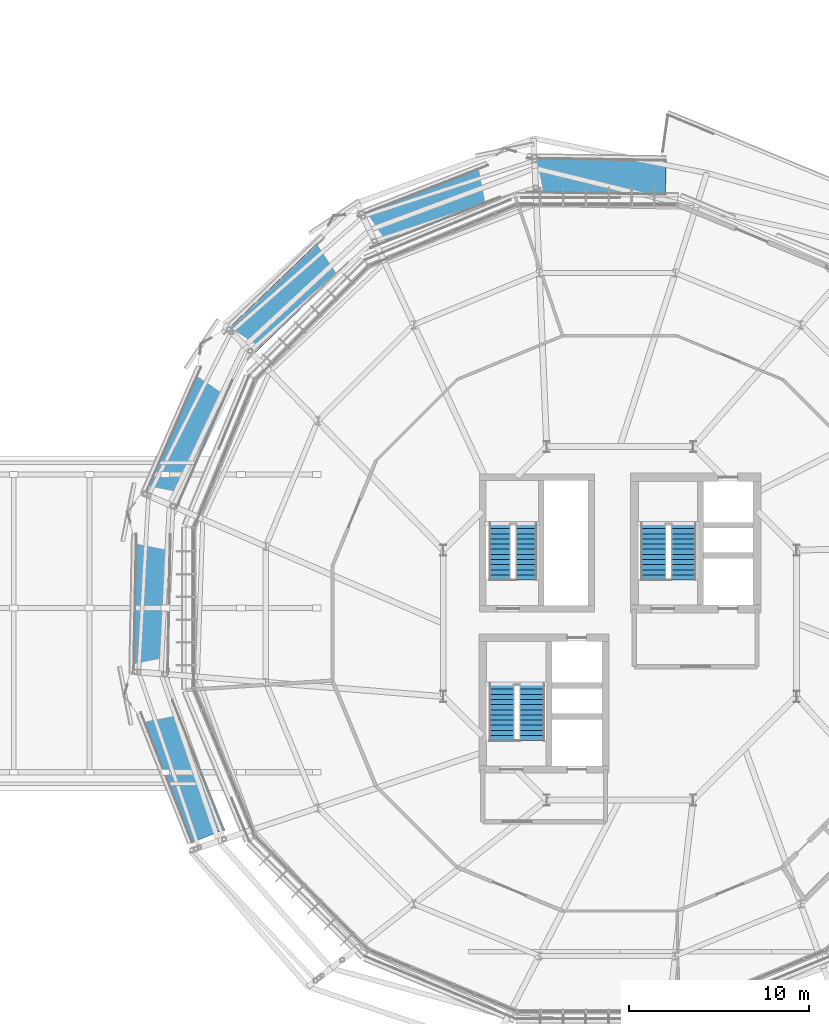
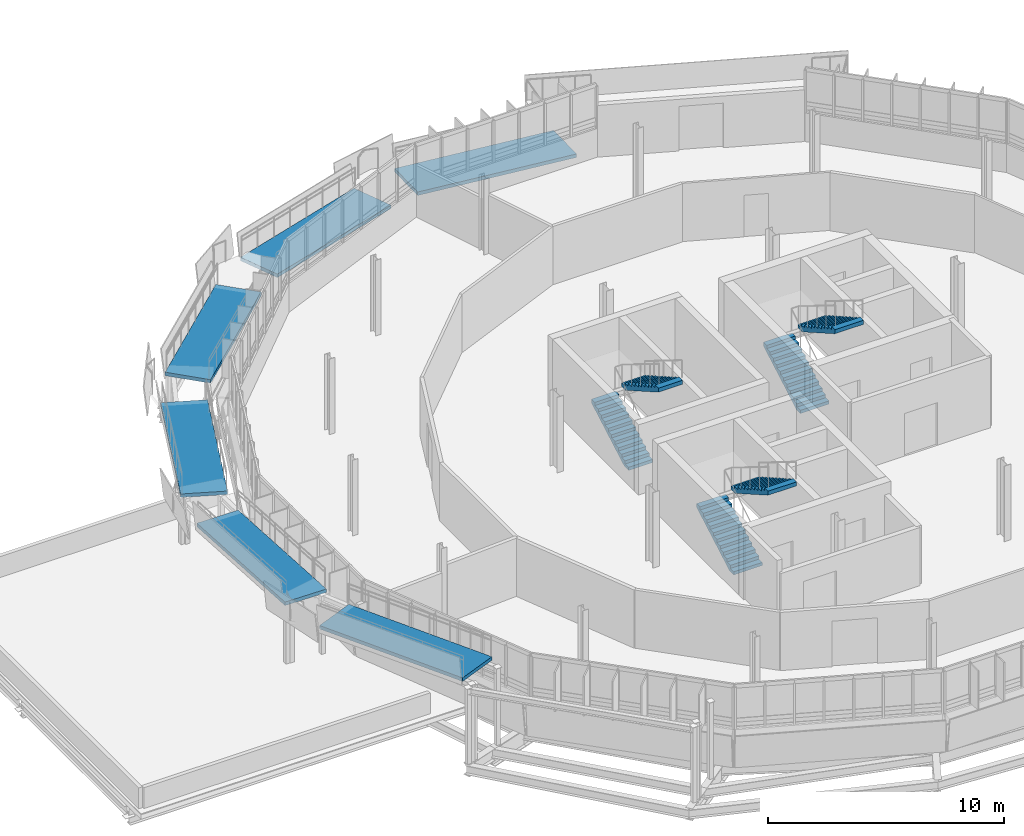
# One storey, part 53 of 61: 6 ramp flights, 6 stair flights, 4 elements without a shape of their own.
"""IFC4 building model written with IfcOpenShell, lengths in metres."""

from ifc_helpers import new_model, si_unit, derived_unit, direction, frame, origin, place, context, subcontext, project, spatial, polyline, outline, extrude, material, layer, layer_set, type_object, element, aggregate, save


model = new_model("IFC4")

# Units and contexts
model_context = context("Model", 3, precision=1e-05, world=origin(), true_north=direction((0.0, 1.0)))
body_context = subcontext(model_context, "Body", "Model", "MODEL_VIEW")
ifc_project = project(units=[si_unit("LENGTHUNIT", "METRE"), si_unit("AREAUNIT", "SQUARE_METRE"), si_unit("VOLUMEUNIT", "CUBIC_METRE"), si_unit("PLANEANGLEUNIT", "RADIAN"), si_unit("MASSUNIT", "GRAM", prefix="KILO"), derived_unit("THERMALTRANSMITTANCEUNIT", [(si_unit("MASSUNIT", "GRAM", prefix="KILO"), 1), (si_unit("TIMEUNIT", "SECOND"), -3), (si_unit("THERMODYNAMICTEMPERATUREUNIT", "KELVIN"), -1)])], contexts=[model_context])

# Site, building, storey
site_placement = place(None, origin())
site = spatial("IfcSite", under=ifc_project, at=site_placement, CompositionType="ELEMENT")
building_placement = place(site_placement, origin())
building = spatial("IfcBuilding", under=site, at=building_placement, Name="Makaiwela Harbour Ferry Terminal", CompositionType="ELEMENT")
storey_placement = place(building_placement, frame((0.0, 0.0, 13.800048828125)))
storey = spatial("IfcBuildingStorey", under=building, at=storey_placement, Name="L03", CompositionType="ELEMENT", Elevation=13.800048828125)

# Stair, stair flights
ifc_material = material(Name="Concrete f'c 35 MPa (5000 psi)", Category="concrete")
stair_type_1 = type_object("IfcStairType", Name="CIR-STR-A04", PredefinedType="HALF_TURN_STAIR", material=ifc_material)
stair_1_placement = place(storey_placement, origin())
stair_1 = element("IfcStair", 1, at=stair_1_placement, inside=storey, type_object=stair_type_1, Name="Stair ST-01-L03", PredefinedType="HALF_TURN_STAIR")
stair_flight_type_1 = type_object("IfcStairFlightType", Name="CIR-FLT-F04", PredefinedType="STRAIGHT", material=ifc_material)
stair_flight_1_placement = place(storey_placement, frame((39.657958984375, 70.0, 0.0), z_axis=(0.0, 0.0, 1.0), x_axis=(0.0, 1.0, 0.0)))
stair_flight_1 = element("IfcStairFlight", 2, at=stair_flight_1_placement, type_object=stair_flight_type_1, Name="Stair Flight ST-01-L03-F1", NumberOfRisers=12, NumberOfTreads=11, PredefinedType="STRAIGHT", RiserHeight=0.1625, TreadLength=0.285, context=body_context, shape_type="SweptSolid", body=[
    extrude(outline(polyline([(0.0, 0.0), (0.0, 0.16259765625), (0.284912109375, 0.16259765625), (0.284912109375, 0.324951171875), (0.570068359375, 0.324951171875), (0.570068359375, 0.487548828125), (0.85498046875, 0.487548828125), (0.85498046875, 0.64990234375), (1.139892578125, 0.64990234375), (1.139892578125, 0.8125), (1.425048828125, 0.8125), (1.425048828125, 0.97509765625), (1.7099609375, 0.97509765625), (1.7099609375, 1.137451171875), (1.9951171875, 1.137451171875), (1.9951171875, 1.300048828125), (2.280029296875, 1.300048828125), (2.280029296875, 1.46240234375), (2.56494140625, 1.46240234375), (2.56494140625, 1.625), (2.85009765625, 1.625), (2.85009765625, 1.78759765625), (3.135009765625, 1.78759765625), (3.135009765625, 1.949951171875), (3.135009765625, 1.580322265625), (0.36328125, 0.0), (0.0, 0.0)])), frame((0.0, 0.697998046875, 0.0), z_axis=(0.0, -1.0, 0.0), x_axis=(1.0, 0.0, 0.0)), (0.0, 0.0, 1.0), 1.39599609375),
])
stair_flight_2_placement = place(storey_placement, frame((41.333984375, 73.135009765625, 1.949951171875), z_axis=(0.0, 0.0, 1.0), x_axis=(0.0, -1.0, 0.0)))
stair_flight_2 = element("IfcStairFlight", 3, at=stair_flight_2_placement, type_object=stair_flight_type_1, Name="Stair Flight ST-01-L03-F2", NumberOfRisers=12, NumberOfTreads=11, PredefinedType="STRAIGHT", RiserHeight=0.1625, TreadLength=0.285, context=body_context, shape_type="SweptSolid", body=[
    extrude(outline(polyline([(0.0, 0.0), (0.0, 0.16259765625), (0.284912109375, 0.16259765625), (0.284912109375, 0.324951171875), (0.570068359375, 0.324951171875), (0.570068359375, 0.487548828125), (0.85498046875, 0.487548828125), (0.85498046875, 0.64990234375), (1.139892578125, 0.64990234375), (1.139892578125, 0.8125), (1.425048828125, 0.8125), (1.425048828125, 0.97509765625), (1.7099609375, 0.97509765625), (1.7099609375, 1.137451171875), (1.9951171875, 1.137451171875), (1.9951171875, 1.300048828125), (2.280029296875, 1.300048828125), (2.280029296875, 1.46240234375), (2.56494140625, 1.46240234375), (2.56494140625, 1.625), (2.85009765625, 1.625), (2.85009765625, 1.78759765625), (3.135009765625, 1.78759765625), (3.135009765625, 1.949951171875), (3.135009765625, 1.580322265625), (0.36328125, 0.0), (0.0, 0.0)])), frame((0.0, 0.697998046875, 0.0), z_axis=(0.0, -1.0, 0.0), x_axis=(1.0, 0.0, 0.0)), (0.0, 0.0, 1.0), 1.39599609375),
])
aggregate(stair_1, [stair_flight_1, stair_flight_2])

stair_2_placement = place(storey_placement, origin())
stair_2 = element("IfcStair", 4, at=stair_2_placement, inside=storey, type_object=stair_type_1, Name="Stair ST-02-L03", PredefinedType="HALF_TURN_STAIR")
stair_flight_3_placement = place(storey_placement, frame((31.258056640625, 61.10009765625, 0.0), z_axis=(0.0, 0.0, 1.0), x_axis=(0.0, 1.0, 0.0)))
stair_flight_3 = element("IfcStairFlight", 5, at=stair_flight_3_placement, type_object=stair_flight_type_1, Name="Stair Flight ST-02-L03-F1", NumberOfRisers=12, NumberOfTreads=11, PredefinedType="STRAIGHT", RiserHeight=0.1625, TreadLength=0.285, context=body_context, shape_type="SweptSolid", body=[
    extrude(outline(polyline([(0.0, 0.0), (0.0, 0.16259765625), (0.284912109375, 0.16259765625), (0.284912109375, 0.324951171875), (0.570068359375, 0.324951171875), (0.570068359375, 0.487548828125), (0.85498046875, 0.487548828125), (0.85498046875, 0.64990234375), (1.139892578125, 0.64990234375), (1.139892578125, 0.8125), (1.425048828125, 0.8125), (1.425048828125, 0.97509765625), (1.7099609375, 0.97509765625), (1.7099609375, 1.137451171875), (1.9951171875, 1.137451171875), (1.9951171875, 1.300048828125), (2.280029296875, 1.300048828125), (2.280029296875, 1.46240234375), (2.56494140625, 1.46240234375), (2.56494140625, 1.625), (2.85009765625, 1.625), (2.85009765625, 1.78759765625), (3.135009765625, 1.78759765625), (3.135009765625, 1.949951171875), (3.135009765625, 1.580322265625), (0.36328125, 0.0), (0.0, 0.0)])), frame((0.0, 0.697998046875, 0.0), z_axis=(0.0, -1.0, 0.0), x_axis=(1.0, 0.0, 0.0)), (0.0, 0.0, 1.0), 1.39599609375),
])
stair_flight_4_placement = place(storey_placement, frame((32.93408203125, 64.235107421875, 1.949951171875), z_axis=(0.0, 0.0, 1.0), x_axis=(0.0, -1.0, 0.0)))
stair_flight_4 = element("IfcStairFlight", 6, at=stair_flight_4_placement, type_object=stair_flight_type_1, Name="Stair Flight ST-02-L03-F2", NumberOfRisers=12, NumberOfTreads=11, PredefinedType="STRAIGHT", RiserHeight=0.1625, TreadLength=0.285, context=body_context, shape_type="SweptSolid", body=[
    extrude(outline(polyline([(0.0, 0.0), (0.0, 0.16259765625), (0.284912109375, 0.16259765625), (0.284912109375, 0.324951171875), (0.570068359375, 0.324951171875), (0.570068359375, 0.487548828125), (0.85498046875, 0.487548828125), (0.85498046875, 0.64990234375), (1.139892578125, 0.64990234375), (1.139892578125, 0.8125), (1.425048828125, 0.8125), (1.425048828125, 0.97509765625), (1.7099609375, 0.97509765625), (1.7099609375, 1.137451171875), (1.9951171875, 1.137451171875), (1.9951171875, 1.300048828125), (2.280029296875, 1.300048828125), (2.280029296875, 1.46240234375), (2.56494140625, 1.46240234375), (2.56494140625, 1.625), (2.85009765625, 1.625), (2.85009765625, 1.78759765625), (3.135009765625, 1.78759765625), (3.135009765625, 1.949951171875), (3.135009765625, 1.580322265625), (0.36328125, 0.0), (0.0, 0.0)])), frame((0.0, 0.697998046875, 0.0), z_axis=(0.0, -1.0, 0.0), x_axis=(1.0, 0.0, 0.0)), (0.0, 0.0, 1.0), 1.39599609375),
])
aggregate(stair_2, [stair_flight_3, stair_flight_4])

stair_type_2 = type_object("IfcStairType", Name="CIR-STR-A08", PredefinedType="HALF_TURN_STAIR", material=ifc_material)
stair_3_placement = place(storey_placement, origin())
stair_3 = element("IfcStair", 7, at=stair_3_placement, inside=storey, type_object=stair_type_2, Name="Stair ST-03-L03", PredefinedType="HALF_TURN_STAIR")
stair_flight_type_2 = type_object("IfcStairFlightType", Name="CIR-FLT-F08", PredefinedType="STRAIGHT", material=ifc_material)
stair_flight_5_placement = place(storey_placement, frame((31.14990234375, 70.0, 0.0), z_axis=(0.0, 0.0, 1.0), x_axis=(0.0, 1.0, 0.0)))
stair_flight_5 = element("IfcStairFlight", 8, at=stair_flight_5_placement, type_object=stair_flight_type_2, Name="Stair Flight ST-03-L03-F1", NumberOfRisers=12, NumberOfTreads=11, PredefinedType="STRAIGHT", RiserHeight=0.1625, TreadLength=0.285, context=body_context, shape_type="SweptSolid", body=[
    extrude(outline(polyline([(0.0, 0.0), (0.0, 0.16259765625), (0.284912109375, 0.16259765625), (0.284912109375, 0.324951171875), (0.570068359375, 0.324951171875), (0.570068359375, 0.487548828125), (0.85498046875, 0.487548828125), (0.85498046875, 0.64990234375), (1.139892578125, 0.64990234375), (1.139892578125, 0.8125), (1.425048828125, 0.8125), (1.425048828125, 0.97509765625), (1.7099609375, 0.97509765625), (1.7099609375, 1.137451171875), (1.9951171875, 1.137451171875), (1.9951171875, 1.300048828125), (2.280029296875, 1.300048828125), (2.280029296875, 1.46240234375), (2.56494140625, 1.46240234375), (2.56494140625, 1.625), (2.85009765625, 1.625), (2.85009765625, 1.78759765625), (3.135009765625, 1.78759765625), (3.135009765625, 1.949951171875), (3.135009765625, 1.580322265625), (0.36328125, 0.0), (0.0, 0.0)])), frame((0.0, 0.58984375, 0.0), z_axis=(0.0, -1.0, 0.0), x_axis=(1.0, 0.0, 0.0)), (0.0, 0.0, 1.0), 1.179931640625),
])
stair_flight_6_placement = place(storey_placement, frame((32.610107421875, 73.135009765625, 1.949951171875), z_axis=(0.0, 0.0, 1.0), x_axis=(0.0, -1.0, 0.0)))
stair_flight_6 = element("IfcStairFlight", 9, at=stair_flight_6_placement, type_object=stair_flight_type_2, Name="Stair Flight ST-03-L03-F2", NumberOfRisers=12, NumberOfTreads=11, PredefinedType="STRAIGHT", RiserHeight=0.1625, TreadLength=0.285, context=body_context, shape_type="SweptSolid", body=[
    extrude(outline(polyline([(0.0, 0.0), (0.0, 0.16259765625), (0.284912109375, 0.16259765625), (0.284912109375, 0.324951171875), (0.570068359375, 0.324951171875), (0.570068359375, 0.487548828125), (0.85498046875, 0.487548828125), (0.85498046875, 0.64990234375), (1.139892578125, 0.64990234375), (1.139892578125, 0.8125), (1.425048828125, 0.8125), (1.425048828125, 0.97509765625), (1.7099609375, 0.97509765625), (1.7099609375, 1.137451171875), (1.9951171875, 1.137451171875), (1.9951171875, 1.300048828125), (2.280029296875, 1.300048828125), (2.280029296875, 1.46240234375), (2.56494140625, 1.46240234375), (2.56494140625, 1.625), (2.85009765625, 1.625), (2.85009765625, 1.78759765625), (3.135009765625, 1.78759765625), (3.135009765625, 1.949951171875), (3.135009765625, 1.580322265625), (0.36328125, 0.0), (0.0, 0.0)])), frame((0.0, 0.58984375, 0.0), z_axis=(0.0, -1.0, 0.0), x_axis=(1.0, 0.0, 0.0)), (0.0, 0.0, 1.0), 1.179931640625),
])
aggregate(stair_3, [stair_flight_5, stair_flight_6])

# Ramp, ramp flights
ramp_type = type_object("IfcRampType", Name="CIR-RMP-ASSY", PredefinedType="STRAIGHT_RUN_RAMP", material=ifc_material)
ramp_placement = place(storey_placement, origin())
ramp = element("IfcRamp", 10, at=ramp_placement, inside=storey, type_object=ramp_type, Name="External Coiled Promenade Ramp L03 to L04", PredefinedType="STRAIGHT_RUN_RAMP")
ifc_layer = layer(ifc_material, 0.179931640625)
ifc_layer_set = layer_set([ifc_layer], Name="Concrete f'c 35 MPa (5000 psi)")
ramp_flight_type = type_object("IfcRampFlightType", Name="CIR-RMP-FLT", PredefinedType="STRAIGHT", material=ifc_layer_set)
ramp_flight_1_placement = place(storey_placement, frame((40.3466796875, 92.317626953125, 0.0), z_axis=(0.0, 0.0, 1.0), x_axis=(-0.999873042867, 0.015934181717, 0.0)))
ramp_flight_1 = element("IfcRampFlight", 11, at=ramp_flight_1_placement, type_object=ramp_flight_type, Name="Ramp Flight L03-F1", PredefinedType="STRAIGHT", context=body_context, shape_type="SweptSolid", body=[
    extrude(outline(polyline([(0.0, 0.0), (7.697021484375, 0.64990234375), (7.697021484375, 0.46923828125), (0.0, -0.1806640625), (0.0, 0.0)])), frame((0.0, 1.0, 0.0), z_axis=(0.0, -1.0, 0.0), x_axis=(1.0, 0.0, 0.0)), (0.0, 0.0, 1.0), 2.0),
])
ramp_flight_2_placement = place(storey_placement, frame((30.816162109375, 92.108642578125, 0.64990234375), z_axis=(0.0, 0.0, 1.0), x_axis=(-0.930915644603, -0.3652342572, 0.0)))
ramp_flight_2 = element("IfcRampFlight", 12, at=ramp_flight_2_placement, type_object=ramp_flight_type, Name="Ramp Flight L03-F2", PredefinedType="STRAIGHT", context=body_context, shape_type="SweptSolid", body=[
    extrude(outline(polyline([(0.0, 0.0), (7.709228515625, 0.64990234375), (7.709228515625, 0.46923828125), (0.0, -0.1806640625), (0.0, 0.0)])), frame((0.0, 1.0, 0.0), z_axis=(0.0, -1.0, 0.0), x_axis=(1.0, 0.0, 0.0)), (0.0, 0.0, 1.0), 2.0),
])
ramp_flight_3_placement = place(storey_placement, frame((22.06982421875, 88.2880859375, 1.300048828125), z_axis=(0.0, 0.0, 1.0), x_axis=(-0.721373549877, -0.692546172856, 0.0)))
ramp_flight_3 = element("IfcRampFlight", 13, at=ramp_flight_3_placement, type_object=ramp_flight_type, Name="Ramp Flight L03-F3", PredefinedType="STRAIGHT", context=body_context, shape_type="SweptSolid", body=[
    extrude(outline(polyline([(0.0, 0.0), (7.712646484375, 0.64990234375), (7.712646484375, 0.46923828125), (0.0, -0.1806640625), (0.0, 0.0)])), frame((0.0, 1.0, 0.0), z_axis=(0.0, -1.0, 0.0), x_axis=(1.0, 0.0, 0.0)), (0.0, 0.0, 1.0), 2.0),
])
ramp_flight_4_placement = place(storey_placement, frame((15.439453125, 81.418701171875, 1.949951171875), z_axis=(0.0, 0.0, 1.0), x_axis=(-0.401452296708, -0.91587993398, 0.0)))
ramp_flight_4 = element("IfcRampFlight", 14, at=ramp_flight_4_placement, type_object=ramp_flight_type, Name="Ramp Flight L03-F4", PredefinedType="STRAIGHT", context=body_context, shape_type="SweptSolid", body=[
    extrude(outline(polyline([(0.0, 0.0), (7.712646484375, 0.64990234375), (7.712646484375, 0.46923828125), (0.0, -0.1806640625), (0.0, 0.0)])), frame((0.0, 1.0, 0.0), z_axis=(0.0, -1.0, 0.0), x_axis=(1.0, 0.0, 0.0)), (0.0, 0.0, 1.0), 2.0),
])
ramp_flight_5_placement = place(storey_placement, frame((11.94384765625, 72.534912109375, 2.599853515625), z_axis=(0.0, 0.0, 1.0), x_axis=(-0.018865889905, -0.999822023261, 0.0)))
ramp_flight_5 = element("IfcRampFlight", 15, at=ramp_flight_5_placement, type_object=ramp_flight_type, Name="Ramp Flight L03-F5", PredefinedType="STRAIGHT", context=body_context, shape_type="SweptSolid", body=[
    extrude(outline(polyline([(0.0, 0.0), (7.715576171875, 0.64990234375), (7.715576171875, 0.46923828125), (0.0, -0.1806640625), (0.0, 0.0)])), frame((0.0, 1.0, 0.0), z_axis=(0.0, -1.0, 0.0), x_axis=(1.0, 0.0, 0.0)), (0.0, 0.0, 1.0), 2.0),
])
ramp_flight_6_placement = place(storey_placement, frame((12.1298828125, 62.987548828125, 3.25), z_axis=(0.0, 0.0, 1.0), x_axis=(0.367848666248, -0.929885669714, 0.0)))
ramp_flight_6 = element("IfcRampFlight", 16, at=ramp_flight_6_placement, type_object=ramp_flight_type, Name="Ramp Flight L03-F6", PredefinedType="STRAIGHT", context=body_context, shape_type="SweptSolid", body=[
    extrude(outline(polyline([(0.0, 0.0), (7.726318359375, 0.64990234375), (7.726318359375, 0.46923828125), (0.0, -0.1806640625), (0.0, 0.0)])), frame((0.0, 1.0, 0.0), z_axis=(0.0, -1.0, 0.0), x_axis=(1.0, 0.0, 0.0)), (0.0, 0.0, 1.0), 2.0),
])
aggregate(ramp, [ramp_flight_1, ramp_flight_2, ramp_flight_3, ramp_flight_4, ramp_flight_5, ramp_flight_6])

save(model, "model.ifc")
